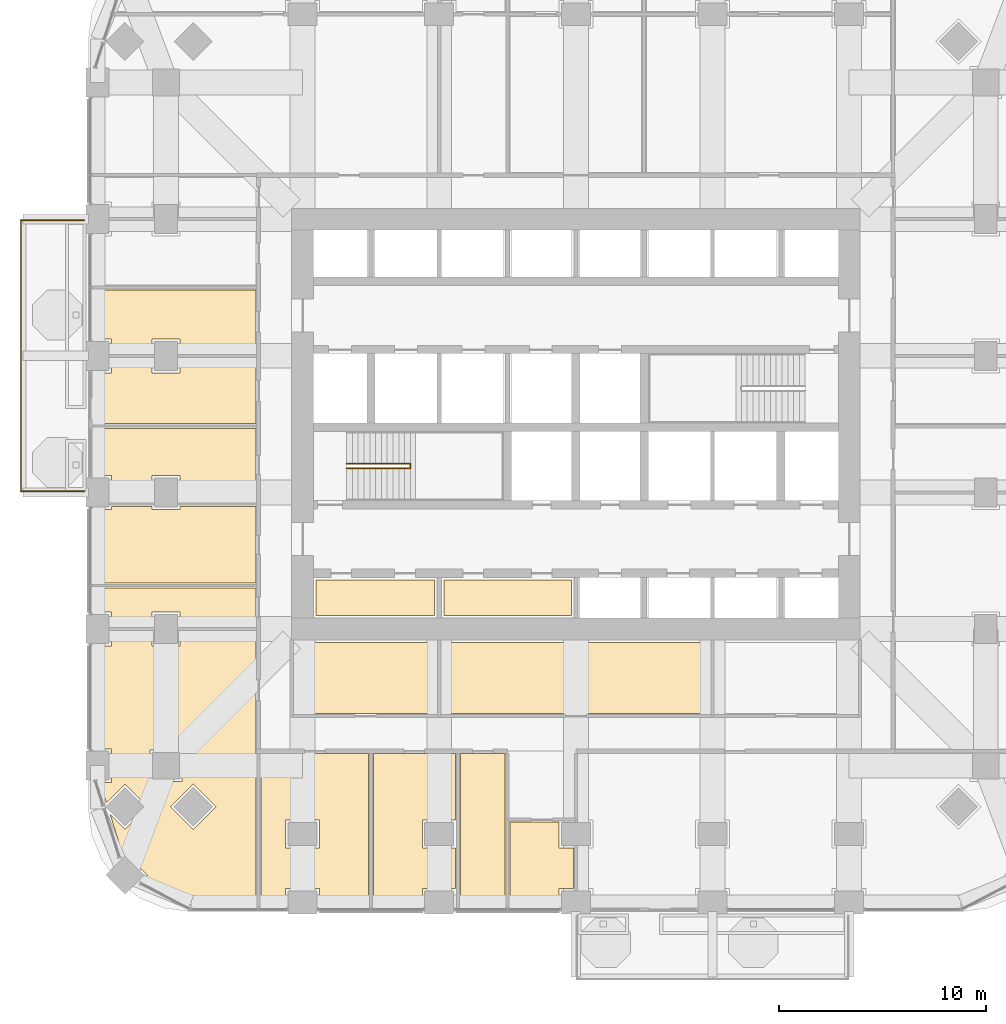
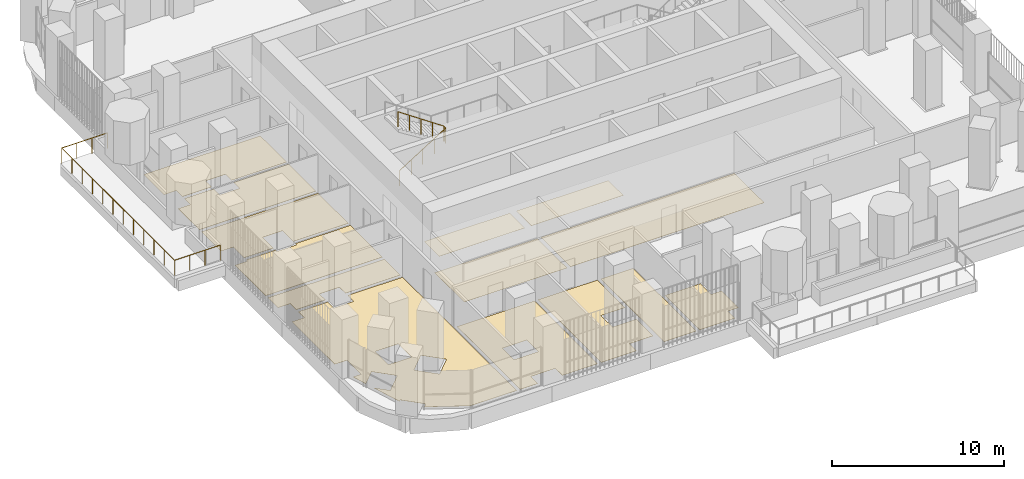
# One storey, part 18 of 22: 14 coverings, 2 railings.
"""IFC4 building model written with IfcOpenShell, lengths in metres."""

from ifc_helpers import new_model, si_unit, direction, frame, origin, place, context, subcontext, project, spatial, polyline, outline, extrude, material, layer, layer_set, type_object, element, save


model = new_model("IFC4")

# Units and contexts
model_context = context("Model", 3, precision=1e-05, world=origin(), true_north=direction((0.0, 1.0)))
body_context = subcontext(model_context, "Body", "Model", "MODEL_VIEW")
ifc_project = project(units=[si_unit("LENGTHUNIT", "METRE"), si_unit("AREAUNIT", "SQUARE_METRE"), si_unit("VOLUMEUNIT", "CUBIC_METRE"), si_unit("PLANEANGLEUNIT", "RADIAN"), si_unit("MASSUNIT", "GRAM", prefix="KILO")], contexts=[model_context])

# Site, building, storey
site_placement = place(None, origin())
site = spatial("IfcSite", under=ifc_project, at=site_placement, CompositionType="ELEMENT")
building_placement = place(site_placement, origin())
building = spatial("IfcBuilding", under=site, at=building_placement, Name="Cobogo Forest Laboratory Tower", CompositionType="ELEMENT")
storey_placement = place(building_placement, frame((0.0, 0.0, 111.60009765625)))
storey = spatial("IfcBuildingStorey", under=building, at=storey_placement, Name="L25", CompositionType="ELEMENT", Elevation=111.60009765625)

# Railing
ifc_material_1 = material(Name="Laminated glass balustrade", Category="glass")
railing_type_1 = type_object("IfcRailingType", Name="BG1 glass balustrade 1100", PredefinedType="GUARDRAIL", material=ifc_material_1)
railing_1_placement = place(storey_placement, frame((2.64990234375, 19.85009765625, 0.0)))
element("IfcRailing", 1, at=railing_1_placement, inside=storey, type_object=railing_type_1, Name="Balcony balustrade BAL-W1 L25", PredefinedType="GUARDRAIL", context=body_context, shape_type="SweptSolid", body=[
    extrude(outline(polyline([(0.022216796875, 0.00927734375), (0.00927734375, 0.022216796875), (-0.00927734375, 0.022216796875), (-0.022216796875, 0.00927734375), (-0.022216796875, -0.00927734375), (-0.00927734375, -0.022216796875), (0.00927734375, -0.022216796875), (0.022216796875, -0.00927734375), (0.022216796875, 0.00927734375)])), frame((0.0, 0.0, 1.077880859375), z_axis=(-1.0, 0.0, 0.0), x_axis=(0.0, -1.0, 0.0)), (0.0, 0.0, 1.0), 3.0498046875),
    extrude(outline(polyline([(0.022216796875, 0.00927734375), (0.00927734375, 0.022216796875), (-0.00927734375, 0.022216796875), (-0.022216796875, 0.00927734375), (-0.022216796875, -0.00927734375), (-0.00927734375, -0.022216796875), (0.00927734375, -0.022216796875), (0.022216796875, -0.00927734375), (0.022216796875, 0.00927734375)])), frame((-3.0498046875, 0.0, 1.077880859375), z_axis=(0.0, 1.0, 0.0), x_axis=(-1.0, 0.0, 0.0)), (0.0, 0.0, 1.0), 13.099853515625),
    extrude(outline(polyline([(0.022216796875, 0.00927734375), (0.00927734375, 0.022216796875), (-0.00927734375, 0.022216796875), (-0.022216796875, 0.00927734375), (-0.022216796875, -0.00927734375), (-0.00927734375, -0.022216796875), (0.00927734375, -0.022216796875), (0.022216796875, -0.00927734375), (0.022216796875, 0.00927734375)])), frame((-3.0498046875, 13.099853515625, 1.077880859375), z_axis=(1.0, 0.0, 0.0), x_axis=(0.0, 1.0, 0.0)), (0.0, 0.0, 1.0), 3.0498046875),
    extrude(outline(polyline([(0.019287109375, 0.008056640625), (0.008056640625, 0.019287109375), (-0.008056640625, 0.019287109375), (-0.019287109375, 0.008056640625), (-0.019287109375, -0.008056640625), (-0.008056640625, -0.019287109375), (0.008056640625, -0.019287109375), (0.019287109375, -0.008056640625), (0.019287109375, 0.008056640625)])), origin(), (0.0, 0.0, 1.0), 1.077880859375),
    extrude(outline(polyline([(0.019287109375, 0.008056640625), (0.008056640625, 0.019287109375), (-0.008056640625, 0.019287109375), (-0.019287109375, 0.008056640625), (-0.019287109375, -0.008056640625), (-0.008056640625, -0.019287109375), (0.008056640625, -0.019287109375), (0.019287109375, -0.008056640625), (0.019287109375, 0.008056640625)])), frame((-1.0166015625, 0.0, 0.0)), (0.0, 0.0, 1.0), 1.077880859375),
    extrude(outline(polyline([(0.019287109375, 0.008056640625), (0.008056640625, 0.019287109375), (-0.008056640625, 0.019287109375), (-0.019287109375, 0.008056640625), (-0.019287109375, -0.008056640625), (-0.008056640625, -0.019287109375), (0.008056640625, -0.019287109375), (0.019287109375, -0.008056640625), (0.019287109375, 0.008056640625)])), frame((-2.033203125, 0.0, 0.0)), (0.0, 0.0, 1.0), 1.077880859375),
    extrude(outline(polyline([(0.019287109375, 0.008056640625), (0.008056640625, 0.019287109375), (-0.008056640625, 0.019287109375), (-0.019287109375, 0.008056640625), (-0.019287109375, -0.008056640625), (-0.008056640625, -0.019287109375), (0.008056640625, -0.019287109375), (0.019287109375, -0.008056640625), (0.019287109375, 0.008056640625)])), frame((-3.0498046875, 0.0, 0.0)), (0.0, 0.0, 1.0), 1.077880859375),
    extrude(outline(polyline([(0.019287109375, 0.008056640625), (0.008056640625, 0.019287109375), (-0.008056640625, 0.019287109375), (-0.019287109375, 0.008056640625), (-0.019287109375, -0.008056640625), (-0.008056640625, -0.019287109375), (0.008056640625, -0.019287109375), (0.019287109375, -0.008056640625), (0.019287109375, 0.008056640625)])), frame((-3.0498046875, 1.19091796875, 0.0)), (0.0, 0.0, 1.0), 1.077880859375),
    extrude(outline(polyline([(0.019287109375, 0.008056640625), (0.008056640625, 0.019287109375), (-0.008056640625, 0.019287109375), (-0.019287109375, 0.008056640625), (-0.019287109375, -0.008056640625), (-0.008056640625, -0.019287109375), (0.008056640625, -0.019287109375), (0.019287109375, -0.008056640625), (0.019287109375, 0.008056640625)])), frame((-3.0498046875, 2.3818359375, 0.0)), (0.0, 0.0, 1.0), 1.077880859375),
    extrude(outline(polyline([(0.019287109375, 0.008056640625), (0.008056640625, 0.019287109375), (-0.008056640625, 0.019287109375), (-0.019287109375, 0.008056640625), (-0.019287109375, -0.008056640625), (-0.008056640625, -0.019287109375), (0.008056640625, -0.019287109375), (0.019287109375, -0.008056640625), (0.019287109375, 0.008056640625)])), frame((-3.0498046875, 3.57275390625, 0.0)), (0.0, 0.0, 1.0), 1.077880859375),
    extrude(outline(polyline([(0.019287109375, 0.008056640625), (0.008056640625, 0.019287109375), (-0.008056640625, 0.019287109375), (-0.019287109375, 0.008056640625), (-0.019287109375, -0.008056640625), (-0.008056640625, -0.019287109375), (0.008056640625, -0.019287109375), (0.019287109375, -0.008056640625), (0.019287109375, 0.008056640625)])), frame((-3.0498046875, 4.763671875, 0.0)), (0.0, 0.0, 1.0), 1.077880859375),
    extrude(outline(polyline([(0.019287109375, 0.008056640625), (0.008056640625, 0.019287109375), (-0.008056640625, 0.019287109375), (-0.019287109375, 0.008056640625), (-0.019287109375, -0.008056640625), (-0.008056640625, -0.019287109375), (0.008056640625, -0.019287109375), (0.019287109375, -0.008056640625), (0.019287109375, 0.008056640625)])), frame((-3.0498046875, 5.95458984375, 0.0)), (0.0, 0.0, 1.0), 1.077880859375),
    extrude(outline(polyline([(0.019287109375, 0.008056640625), (0.008056640625, 0.019287109375), (-0.008056640625, 0.019287109375), (-0.019287109375, 0.008056640625), (-0.019287109375, -0.008056640625), (-0.008056640625, -0.019287109375), (0.008056640625, -0.019287109375), (0.019287109375, -0.008056640625), (0.019287109375, 0.008056640625)])), frame((-3.0498046875, 7.145263671875, 0.0)), (0.0, 0.0, 1.0), 1.077880859375),
    extrude(outline(polyline([(0.019287109375, 0.008056640625), (0.008056640625, 0.019287109375), (-0.008056640625, 0.019287109375), (-0.019287109375, 0.008056640625), (-0.019287109375, -0.008056640625), (-0.008056640625, -0.019287109375), (0.008056640625, -0.019287109375), (0.019287109375, -0.008056640625), (0.019287109375, 0.008056640625)])), frame((-3.0498046875, 8.336181640625, 0.0)), (0.0, 0.0, 1.0), 1.077880859375),
    extrude(outline(polyline([(0.019287109375, 0.008056640625), (0.008056640625, 0.019287109375), (-0.008056640625, 0.019287109375), (-0.019287109375, 0.008056640625), (-0.019287109375, -0.008056640625), (-0.008056640625, -0.019287109375), (0.008056640625, -0.019287109375), (0.019287109375, -0.008056640625), (0.019287109375, 0.008056640625)])), frame((-3.0498046875, 9.527099609375, 0.0)), (0.0, 0.0, 1.0), 1.077880859375),
    extrude(outline(polyline([(0.019287109375, 0.008056640625), (0.008056640625, 0.019287109375), (-0.008056640625, 0.019287109375), (-0.019287109375, 0.008056640625), (-0.019287109375, -0.008056640625), (-0.008056640625, -0.019287109375), (0.008056640625, -0.019287109375), (0.019287109375, -0.008056640625), (0.019287109375, 0.008056640625)])), frame((-3.0498046875, 10.718017578125, 0.0)), (0.0, 0.0, 1.0), 1.077880859375),
    extrude(outline(polyline([(0.019287109375, 0.008056640625), (0.008056640625, 0.019287109375), (-0.008056640625, 0.019287109375), (-0.019287109375, 0.008056640625), (-0.019287109375, -0.008056640625), (-0.008056640625, -0.019287109375), (0.008056640625, -0.019287109375), (0.019287109375, -0.008056640625), (0.019287109375, 0.008056640625)])), frame((-3.0498046875, 11.908935546875, 0.0)), (0.0, 0.0, 1.0), 1.077880859375),
    extrude(outline(polyline([(0.019287109375, 0.008056640625), (0.008056640625, 0.019287109375), (-0.008056640625, 0.019287109375), (-0.019287109375, 0.008056640625), (-0.019287109375, -0.008056640625), (-0.008056640625, -0.019287109375), (0.008056640625, -0.019287109375), (0.019287109375, -0.008056640625), (0.019287109375, 0.008056640625)])), frame((-3.0498046875, 13.099853515625, 0.0)), (0.0, 0.0, 1.0), 1.077880859375),
    extrude(outline(polyline([(0.019287109375, 0.008056640625), (0.008056640625, 0.019287109375), (-0.008056640625, 0.019287109375), (-0.019287109375, 0.008056640625), (-0.019287109375, -0.008056640625), (-0.008056640625, -0.019287109375), (0.008056640625, -0.019287109375), (0.019287109375, -0.008056640625), (0.019287109375, 0.008056640625)])), frame((-2.033203125, 13.099853515625, 0.0)), (0.0, 0.0, 1.0), 1.077880859375),
    extrude(outline(polyline([(0.019287109375, 0.008056640625), (0.008056640625, 0.019287109375), (-0.008056640625, 0.019287109375), (-0.019287109375, 0.008056640625), (-0.019287109375, -0.008056640625), (-0.008056640625, -0.019287109375), (0.008056640625, -0.019287109375), (0.019287109375, -0.008056640625), (0.019287109375, 0.008056640625)])), frame((-1.0166015625, 13.099853515625, 0.0)), (0.0, 0.0, 1.0), 1.077880859375),
    extrude(outline(polyline([(0.019287109375, 0.008056640625), (0.008056640625, 0.019287109375), (-0.008056640625, 0.019287109375), (-0.019287109375, 0.008056640625), (-0.019287109375, -0.008056640625), (-0.008056640625, -0.019287109375), (0.008056640625, -0.019287109375), (0.019287109375, -0.008056640625), (0.019287109375, 0.008056640625)])), frame((0.0, 13.099853515625, 0.0)), (0.0, 0.0, 1.0), 1.077880859375),
])

# Coverings
ifc_material_2 = material(Name="Carpet tile on raised access floor", Category="flooring")
ifc_layer_1 = layer(ifc_material_2, 0.008056640625)
ifc_layer_set_1 = layer_set([ifc_layer_1], Name="CT1 carpet tile floor 8")
covering_type_1 = type_object("IfcCoveringType", Name="CT1 carpet tile floor 8", PredefinedType="FLOORING", material=ifc_layer_set_1)
covering_1_placement = place(storey_placement, origin())
element("IfcCovering", 2, at=covering_1_placement, inside=storey, type_object=covering_type_1, Name="Carpet floor L25-05", PredefinedType="FLOORING", context=body_context, shape_type="SweptSolid", body=[
    extrude(outline(polyline([(18.97998046875, 3.969970703125), (18.97998046875, 2.6298828125), (20.580078125, 2.6298828125), (20.580078125, 0.669921875), (18.97998046875, 0.669921875), (18.97998046875, -0.14990234375), (16.6201171875, -0.14990234375), (16.6201171875, 7.179931640625), (20.580078125, 7.179931640625), (20.580078125, 3.969970703125), (18.97998046875, 3.969970703125)])), origin(), (0.0, 0.0, 1.0), 0.0078125),
])
covering_2_placement = place(storey_placement, origin())
element("IfcCovering", 3, at=covering_2_placement, inside=storey, type_object=covering_type_1, Name="Carpet floor L25-22", PredefinedType="FLOORING", context=body_context, shape_type="SweptSolid", body=[
    extrude(outline(polyline([(3.904052734375, 4.2431640625), (4.617919921875, 3.529052734375), (5.70703125, 4.617919921875), (4.617919921875, 5.70703125), (3.72412109375, 4.81298828125), (3.418701171875, 5.780029296875), (3.969970703125, 5.780029296875), (3.969970703125, 7.419921875), (3.14990234375, 7.419921875), (3.14990234375, 12.3798828125), (3.969970703125, 12.3798828125), (3.969970703125, 13.080078125), (5.929931640625, 13.080078125), (5.929931640625, 12.3798828125), (7.27001953125, 12.3798828125), (7.27001953125, 13.080078125), (10.955078125, 13.080078125), (10.955078125, -0.14990234375), (7.84912109375, -0.14990234375), (5.480712890625, 1.091552734375), (5.70703125, 1.318115234375), (4.617919921875, 2.406982421875), (4.51611328125, 2.304931640625), (3.904052734375, 4.2431640625)]), holes=[polyline([(6.8291015625, 4.617919921875), (7.91796875, 3.529052734375), (9.007080078125, 4.617919921875), (7.91796875, 5.70703125), (6.8291015625, 4.617919921875)]), polyline([(5.830078125, 7.3701171875), (5.830078125, 5.830078125), (7.3701171875, 5.830078125), (7.3701171875, 7.3701171875), (5.830078125, 7.3701171875)])]), origin(), (0.0, 0.0, 1.0), 0.0078125),
])
covering_3_placement = place(storey_placement, origin())
element("IfcCovering", 4, at=covering_3_placement, inside=storey, type_object=covering_type_1, Name="Carpet floor L25-27", PredefinedType="FLOORING", context=body_context, shape_type="SweptSolid", body=[
    extrude(outline(polyline([(10.955078125, 26.52001953125), (7.27001953125, 26.52001953125), (7.27001953125, 27.219970703125), (5.929931640625, 27.219970703125), (5.929931640625, 26.52001953125), (3.969970703125, 26.52001953125), (3.969970703125, 27.219970703125), (3.14990234375, 27.219970703125), (3.14990234375, 29.580078125), (10.955078125, 29.580078125), (10.955078125, 26.52001953125)])), origin(), (0.0, 0.0, 1.0), 0.0078125),
])
covering_4_placement = place(storey_placement, origin())
element("IfcCovering", 5, at=covering_4_placement, inside=storey, type_object=covering_type_1, Name="Carpet floor L25-37", PredefinedType="FLOORING", context=body_context, shape_type="SweptSolid", body=[
    extrude(outline(polyline([(19.580078125, 13.844970703125), (13.844970703125, 13.844970703125), (13.844970703125, 15.580078125), (19.580078125, 15.580078125), (19.580078125, 13.844970703125)])), origin(), (0.0, 0.0, 1.0), 0.0078125),
])
covering_5_placement = place(storey_placement, origin())
element("IfcCovering", 6, at=covering_5_placement, inside=storey, type_object=covering_type_1, Name="Carpet floor L25-38", PredefinedType="FLOORING", context=body_context, shape_type="SweptSolid", body=[
    extrude(outline(polyline([(26.179931640625, 13.844970703125), (20.02001953125, 13.844970703125), (20.02001953125, 15.580078125), (26.179931640625, 15.580078125), (26.179931640625, 13.844970703125)])), origin(), (0.0, 0.0, 1.0), 0.0078125),
])

# Railing
ifc_material_3 = material(Name="Steel balustrade", Category="steel")
railing_type_2 = type_object("IfcRailingType", Name="GR stair guard 1100", PredefinedType="GUARDRAIL", material=ifc_material_3)
railing_2_placement = place(storey_placement, frame((15.324951171875, 20.969970703125, 0.1748046875)))
element("IfcRailing", 7, at=railing_2_placement, inside=storey, type_object=railing_type_2, Name="Stair guard ST1 L25", PredefinedType="GUARDRAIL", context=body_context, shape_type="SweptSolid", body=[
    extrude(outline(polyline([(0.022216796875, 0.00927734375), (0.00927734375, 0.022216796875), (-0.00927734375, 0.022216796875), (-0.022216796875, 0.00927734375), (-0.022216796875, -0.00927734375), (-0.00927734375, -0.022216796875), (0.00927734375, -0.022216796875), (0.022216796875, -0.00927734375), (0.022216796875, 0.00927734375)])), frame((0.0, 0.0, 1.077880859375), z_axis=(0.847998304005, 0.0, 0.529998940003), x_axis=(0.0, 1.0, 0.0)), (0.0, 0.0, 1.0), 3.632080078125),
    extrude(outline(polyline([(0.022216796875, 0.00927734375), (0.00927734375, 0.022216796875), (-0.00927734375, 0.022216796875), (-0.022216796875, 0.00927734375), (-0.022216796875, -0.00927734375), (-0.00927734375, -0.022216796875), (0.00927734375, -0.022216796875), (0.022216796875, -0.00927734375), (0.022216796875, 0.00927734375)])), frame((3.080078125, 0.0, 3.0029296875), z_axis=(0.0, 1.0, 0.0), x_axis=(-1.0, 0.0, 0.0)), (0.0, 0.0, 1.0), 0.2099609375),
    extrude(outline(polyline([(0.022216796875, 0.00927734375), (0.00927734375, 0.022216796875), (-0.00927734375, 0.022216796875), (-0.022216796875, 0.00927734375), (-0.022216796875, -0.00927734375), (-0.00927734375, -0.022216796875), (0.00927734375, -0.022216796875), (0.022216796875, -0.00927734375), (0.022216796875, 0.00927734375)])), frame((3.080078125, 0.2099609375, 3.0029296875), z_axis=(-0.826221800596, 0.0, 0.563344953133), x_axis=(0.0, -1.0, 0.0)), (0.0, 0.0, 1.0), 3.72802734375),
    extrude(outline(polyline([(0.019287109375, 0.008056640625), (0.008056640625, 0.019287109375), (-0.008056640625, 0.019287109375), (-0.019287109375, 0.008056640625), (-0.019287109375, -0.008056640625), (-0.008056640625, -0.019287109375), (0.008056640625, -0.019287109375), (0.019287109375, -0.008056640625), (0.019287109375, 0.008056640625)])), origin(), (0.0, 0.0, 1.0), 1.077880859375),
    extrude(outline(polyline([(0.019287109375, 0.008056640625), (0.008056640625, 0.019287109375), (-0.008056640625, 0.019287109375), (-0.019287109375, 0.008056640625), (-0.019287109375, -0.008056640625), (-0.008056640625, -0.019287109375), (0.008056640625, -0.019287109375), (0.019287109375, -0.008056640625), (0.019287109375, 0.008056640625)])), frame((0.77001953125, 0.0, 0.481201171875)), (0.0, 0.0, 1.0), 1.077880859375),
    extrude(outline(polyline([(0.019287109375, 0.008056640625), (0.008056640625, 0.019287109375), (-0.008056640625, 0.019287109375), (-0.019287109375, 0.008056640625), (-0.019287109375, -0.008056640625), (-0.008056640625, -0.019287109375), (0.008056640625, -0.019287109375), (0.019287109375, -0.008056640625), (0.019287109375, 0.008056640625)])), frame((1.5400390625, 0.0, 0.96240234375)), (0.0, 0.0, 1.0), 1.077880859375),
    extrude(outline(polyline([(0.019287109375, 0.008056640625), (0.008056640625, 0.019287109375), (-0.008056640625, 0.019287109375), (-0.019287109375, 0.008056640625), (-0.019287109375, -0.008056640625), (-0.008056640625, -0.019287109375), (0.008056640625, -0.019287109375), (0.019287109375, -0.008056640625), (0.019287109375, 0.008056640625)])), frame((2.31005859375, 0.0, 1.44384765625)), (0.0, 0.0, 1.0), 1.077880859375),
    extrude(outline(polyline([(0.019287109375, 0.008056640625), (0.008056640625, 0.019287109375), (-0.008056640625, 0.019287109375), (-0.019287109375, 0.008056640625), (-0.019287109375, -0.008056640625), (-0.008056640625, -0.019287109375), (0.008056640625, -0.019287109375), (0.019287109375, -0.008056640625), (0.019287109375, 0.008056640625)])), frame((3.080078125, 0.0, 1.925048828125)), (0.0, 0.0, 1.0), 1.077880859375),
    extrude(outline(polyline([(0.019287109375, 0.008056640625), (0.008056640625, 0.019287109375), (-0.008056640625, 0.019287109375), (-0.019287109375, 0.008056640625), (-0.019287109375, -0.008056640625), (-0.008056640625, -0.019287109375), (0.008056640625, -0.019287109375), (0.019287109375, -0.008056640625), (0.019287109375, 0.008056640625)])), frame((3.080078125, 0.2099609375, 1.925048828125)), (0.0, 0.0, 1.0), 1.077880859375),
    extrude(outline(polyline([(0.019287109375, 0.008056640625), (0.008056640625, 0.019287109375), (-0.008056640625, 0.019287109375), (-0.019287109375, 0.008056640625), (-0.019287109375, -0.008056640625), (-0.008056640625, -0.019287109375), (0.008056640625, -0.019287109375), (0.019287109375, -0.008056640625), (0.019287109375, 0.008056640625)])), frame((2.31005859375, 0.2099609375, 2.4501953125)), (0.0, 0.0, 1.0), 1.077880859375),
    extrude(outline(polyline([(0.019287109375, 0.008056640625), (0.008056640625, 0.019287109375), (-0.008056640625, 0.019287109375), (-0.019287109375, 0.008056640625), (-0.019287109375, -0.008056640625), (-0.008056640625, -0.019287109375), (0.008056640625, -0.019287109375), (0.019287109375, -0.008056640625), (0.019287109375, 0.008056640625)])), frame((1.5400390625, 0.2099609375, 2.97509765625)), (0.0, 0.0, 1.0), 1.077880859375),
    extrude(outline(polyline([(0.019287109375, 0.008056640625), (0.008056640625, 0.019287109375), (-0.008056640625, 0.019287109375), (-0.019287109375, 0.008056640625), (-0.019287109375, -0.008056640625), (-0.008056640625, -0.019287109375), (0.008056640625, -0.019287109375), (0.019287109375, -0.008056640625), (0.019287109375, 0.008056640625)])), frame((0.77001953125, 0.2099609375, 3.5)), (0.0, 0.0, 1.0), 1.077880859375),
    extrude(outline(polyline([(0.019287109375, 0.008056640625), (0.008056640625, 0.019287109375), (-0.008056640625, 0.019287109375), (-0.019287109375, 0.008056640625), (-0.019287109375, -0.008056640625), (-0.008056640625, -0.019287109375), (0.008056640625, -0.019287109375), (0.019287109375, -0.008056640625), (0.019287109375, 0.008056640625)])), frame((0.0, 0.2099609375, 4.025146484375)), (0.0, 0.0, 1.0), 1.077880859375),
])

# Coverings
ifc_material_4 = material(Name="Epoxy resin flooring", Category="flooring")
ifc_layer_2 = layer(ifc_material_4, 0.00390625)
ifc_layer_set_2 = layer_set([ifc_layer_2], Name="LF1 epoxy laboratory floor 4")
covering_type_2 = type_object("IfcCoveringType", Name="LF1 epoxy laboratory floor 4", PredefinedType="FLOORING", material=ifc_layer_set_2)
covering_6_placement = place(storey_placement, origin())
element("IfcCovering", 8, at=covering_6_placement, inside=storey, type_object=covering_type_2, Name="Epoxy laboratory floor L25-01", PredefinedType="FLOORING", context=body_context, shape_type="SweptSolid", body=[
    extrude(outline(polyline([(19.679931640625, 9.1201171875), (12.794921875, 9.1201171875), (12.794921875, 12.554931640625), (19.679931640625, 12.554931640625), (19.679931640625, 9.1201171875)])), origin(), (0.0, 0.0, 1.0), 0.00390625),
])
covering_7_placement = place(storey_placement, origin())
element("IfcCovering", 9, at=covering_7_placement, inside=storey, type_object=covering_type_2, Name="Epoxy laboratory floor L25-04", PredefinedType="FLOORING", context=body_context, shape_type="SweptSolid", body=[
    extrude(outline(polyline([(16.3798828125, 7.179931640625), (16.3798828125, -0.14990234375), (14.02001953125, -0.14990234375), (14.02001953125, 0.669921875), (12.3798828125, 0.669921875), (12.3798828125, -0.14990234375), (11.195068359375, -0.14990234375), (11.195068359375, 7.179931640625), (16.3798828125, 7.179931640625)]), holes=[polyline([(12.3798828125, 3.969970703125), (12.3798828125, 2.6298828125), (14.02001953125, 2.6298828125), (14.02001953125, 3.969970703125), (12.3798828125, 3.969970703125)])]), origin(), (0.0, 0.0, 1.0), 0.00390625),
])
ifc_material_5 = material(Name="Ceramic floor tile", Category="flooring")
ifc_layer_3 = layer(ifc_material_5, 0.010009765625)
ifc_layer_set_3 = layer_set([ifc_layer_3], Name="TF1 ceramic tile floor 10")
covering_type_3 = type_object("IfcCoveringType", Name="TF1 ceramic tile floor 10", PredefinedType="FLOORING", material=ifc_layer_set_3)
covering_8_placement = place(storey_placement, origin())
element("IfcCovering", 10, at=covering_8_placement, inside=storey, type_object=covering_type_3, Name="Tile floor L25-02", PredefinedType="FLOORING", context=body_context, shape_type="SweptSolid", body=[
    extrude(outline(polyline([(32.8798828125, 9.1201171875), (19.919921875, 9.1201171875), (19.919921875, 12.554931640625), (32.8798828125, 12.554931640625), (32.8798828125, 9.1201171875)])), origin(), (0.0, 0.0, 1.0), 0.010009765625),
])
covering_9_placement = place(storey_placement, origin())
element("IfcCovering", 11, at=covering_9_placement, inside=storey, type_object=covering_type_3, Name="Tile floor L25-06", PredefinedType="FLOORING", context=body_context, shape_type="SweptSolid", body=[
    extrude(outline(polyline([(20.820068359375, 7.179931640625), (22.97998046875, 7.179931640625), (22.97998046875, -0.14990234375), (20.820068359375, -0.14990234375), (20.820068359375, 7.179931640625)])), origin(), (0.0, 0.0, 1.0), 0.010009765625),
])
covering_10_placement = place(storey_placement, origin())
element("IfcCovering", 12, at=covering_10_placement, inside=storey, type_object=covering_type_3, Name="Tile floor L25-07", PredefinedType="FLOORING", context=body_context, shape_type="SweptSolid", body=[
    extrude(outline(polyline([(25.580078125, 3.8798828125), (25.580078125, 2.6298828125), (26.280029296875, 2.6298828125), (26.280029296875, 0.669921875), (25.580078125, 0.669921875), (25.580078125, -0.14990234375), (23.219970703125, -0.14990234375), (23.219970703125, 3.8798828125), (25.580078125, 3.8798828125)])), origin(), (0.0, 0.0, 1.0), 0.010009765625),
])
covering_11_placement = place(storey_placement, origin())
element("IfcCovering", 13, at=covering_11_placement, inside=storey, type_object=covering_type_3, Name="Tile floor L25-23", PredefinedType="FLOORING", context=body_context, shape_type="SweptSolid", body=[
    extrude(outline(polyline([(10.955078125, 13.320068359375), (7.27001953125, 13.320068359375), (7.27001953125, 14.02001953125), (5.929931640625, 14.02001953125), (5.929931640625, 13.320068359375), (3.969970703125, 13.320068359375), (3.969970703125, 14.02001953125), (3.14990234375, 14.02001953125), (3.14990234375, 15.179931640625), (10.955078125, 15.179931640625), (10.955078125, 13.320068359375)])), origin(), (0.0, 0.0, 1.0), 0.010009765625),
])
covering_12_placement = place(storey_placement, origin())
element("IfcCovering", 14, at=covering_12_placement, inside=storey, type_object=covering_type_3, Name="Tile floor L25-24", PredefinedType="FLOORING", context=body_context, shape_type="SweptSolid", body=[
    extrude(outline(polyline([(10.955078125, 15.419921875), (3.14990234375, 15.419921875), (3.14990234375, 18.97998046875), (3.969970703125, 18.97998046875), (3.969970703125, 19.1298828125), (5.929931640625, 19.1298828125), (5.929931640625, 18.97998046875), (7.27001953125, 18.97998046875), (7.27001953125, 19.1298828125), (10.955078125, 19.1298828125), (10.955078125, 15.419921875)])), origin(), (0.0, 0.0, 1.0), 0.010009765625),
])
covering_13_placement = place(storey_placement, origin())
element("IfcCovering", 15, at=covering_13_placement, inside=storey, type_object=covering_type_3, Name="Tile floor L25-25", PredefinedType="FLOORING", context=body_context, shape_type="SweptSolid", body=[
    extrude(outline(polyline([(10.955078125, 19.3701171875), (7.27001953125, 19.3701171875), (7.27001953125, 20.6201171875), (5.929931640625, 20.6201171875), (5.929931640625, 19.3701171875), (3.969970703125, 19.3701171875), (3.969970703125, 20.6201171875), (3.14990234375, 20.6201171875), (3.14990234375, 22.8798828125), (10.955078125, 22.8798828125), (10.955078125, 19.3701171875)])), origin(), (0.0, 0.0, 1.0), 0.010009765625),
])
covering_14_placement = place(storey_placement, origin())
element("IfcCovering", 16, at=covering_14_placement, inside=storey, type_object=covering_type_3, Name="Tile floor L25-26", PredefinedType="FLOORING", context=body_context, shape_type="SweptSolid", body=[
    extrude(outline(polyline([(10.955078125, 23.1201171875), (3.14990234375, 23.1201171875), (3.14990234375, 25.580078125), (3.969970703125, 25.580078125), (3.969970703125, 26.280029296875), (5.929931640625, 26.280029296875), (5.929931640625, 25.580078125), (7.27001953125, 25.580078125), (7.27001953125, 26.280029296875), (10.955078125, 26.280029296875), (10.955078125, 23.1201171875)])), origin(), (0.0, 0.0, 1.0), 0.010009765625),
])

save(model, "model.ifc")
